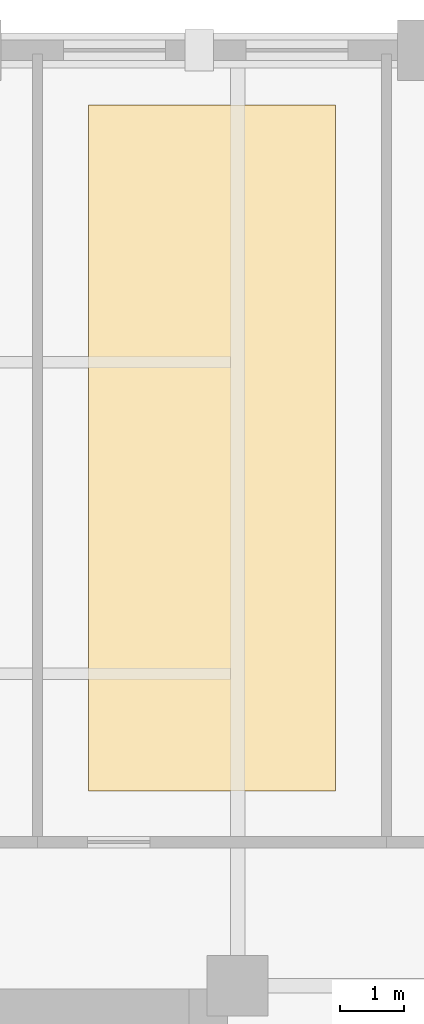
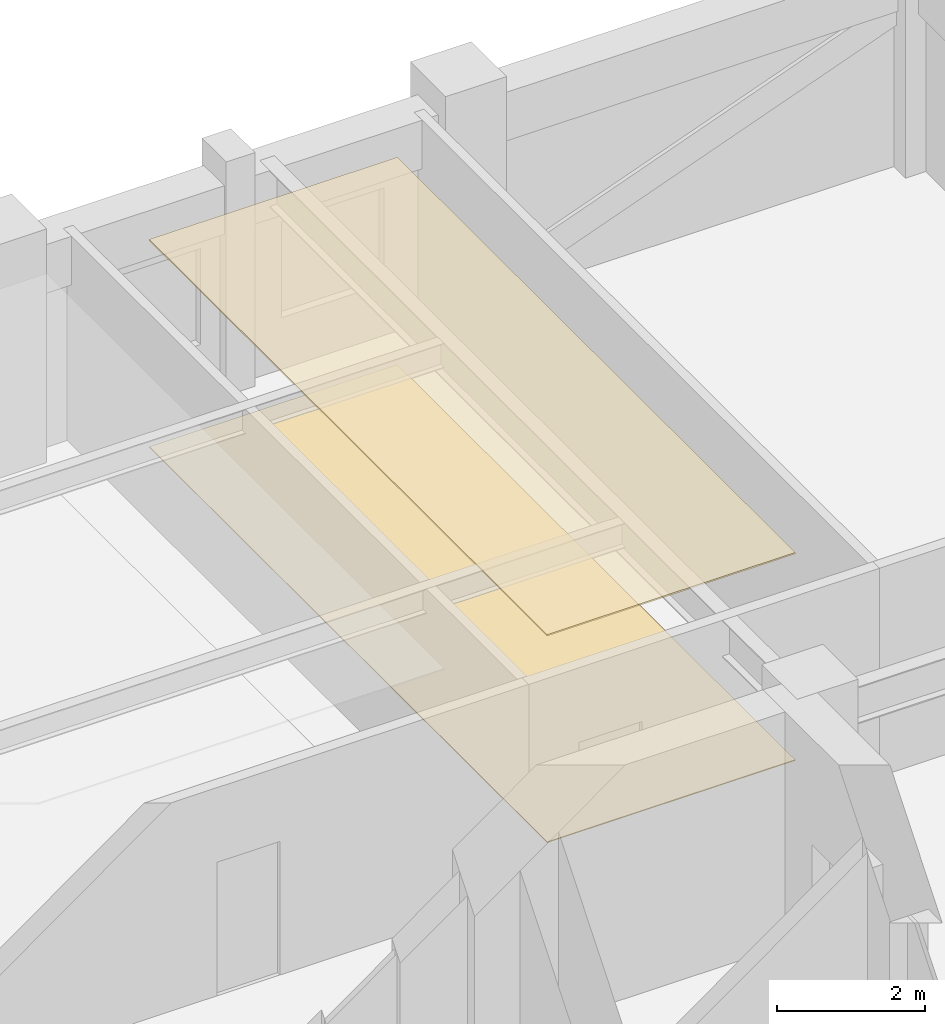
# One storey, part 12 of 12: 2 coverings.
"""IFC4 building model written with IfcOpenShell, lengths in metres."""

from ifc_helpers import new_model, si_unit, direction, frame, origin, place, context, subcontext, project, spatial, polyline, outline, extrude, material, layer, layer_set, type_object, element, save


model = new_model("IFC4")

# Units and contexts
model_context = context("Model", 3, precision=1e-05, world=origin(), true_north=direction((0.0, 1.0)))
body_context = subcontext(model_context, "Body", "Model", "MODEL_VIEW")
ifc_project = project(units=[si_unit("LENGTHUNIT", "METRE"), si_unit("AREAUNIT", "SQUARE_METRE"), si_unit("VOLUMEUNIT", "CUBIC_METRE"), si_unit("PLANEANGLEUNIT", "RADIAN"), si_unit("MASSUNIT", "GRAM", prefix="KILO")], contexts=[model_context])

# Site, building, storey
site_placement = place(None, origin())
site = spatial("IfcSite", under=ifc_project, at=site_placement, CompositionType="ELEMENT")
building_placement = place(site_placement, origin())
building = spatial("IfcBuilding", under=site, at=building_placement, Name="Nhamokura Convention Tower", CompositionType="ELEMENT")
storey_placement = place(building_placement, frame((0.0, 0.0, 110.60009765625)))
storey = spatial("IfcBuildingStorey", under=building, at=storey_placement, Name="L26", CompositionType="ELEMENT", Elevation=110.60009765625)

# Coverings
ifc_material_1 = material(Name="Mineral-fibre acoustic ceiling tile", Category="gypsum")
ifc_layer_1 = layer(ifc_material_1, 0.02490234375)
ifc_layer_set_1 = layer_set([ifc_layer_1], Name="AcousticTileCeiling_25")
covering_type_1 = type_object("IfcCoveringType", Name="AcousticTileCeiling_25", PredefinedType="CEILING", material=ifc_layer_set_1)
covering_1_placement = place(storey_placement, frame((0.0, 0.0, 3.40478515625)))
element("IfcCovering", 1, at=covering_1_placement, inside=storey, type_object=covering_type_1, Name="L26 Suspended Ceiling 06", PredefinedType="CEILING", context=body_context, shape_type="SweptSolid", body=[
    extrude(outline(polyline([(41.0166015625, 46.39990234375), (44.88330078125, 46.39990234375), (44.88330078125, 57.139892578125), (41.0166015625, 57.139892578125), (41.0166015625, 46.39990234375)])), origin(), (0.0, 0.0, 1.0), 0.025146484375),
])
ifc_material_2 = material(Name="Acoustic woven hospitality carpet", Category="wood")
ifc_layer_2 = layer(ifc_material_2, 0.014892578125)
ifc_layer_set_2 = layer_set([ifc_layer_2], Name="WovenCarpetFlooring_15")
covering_type_2 = type_object("IfcCoveringType", Name="WovenCarpetFlooring_15", PredefinedType="FLOORING", material=ifc_layer_set_2)
covering_2_placement = place(storey_placement, origin())
element("IfcCovering", 2, at=covering_2_placement, inside=storey, type_object=covering_type_2, Name="L26 Finish Flooring 06", PredefinedType="FLOORING", context=body_context, shape_type="SweptSolid", body=[
    extrude(outline(polyline([(41.0166015625, 46.39990234375), (44.88330078125, 46.39990234375), (44.88330078125, 57.139892578125), (41.0166015625, 57.139892578125), (41.0166015625, 46.39990234375)])), origin(), (0.0, 0.0, 1.0), 0.014892578125),
])

save(model, "model.ifc")
